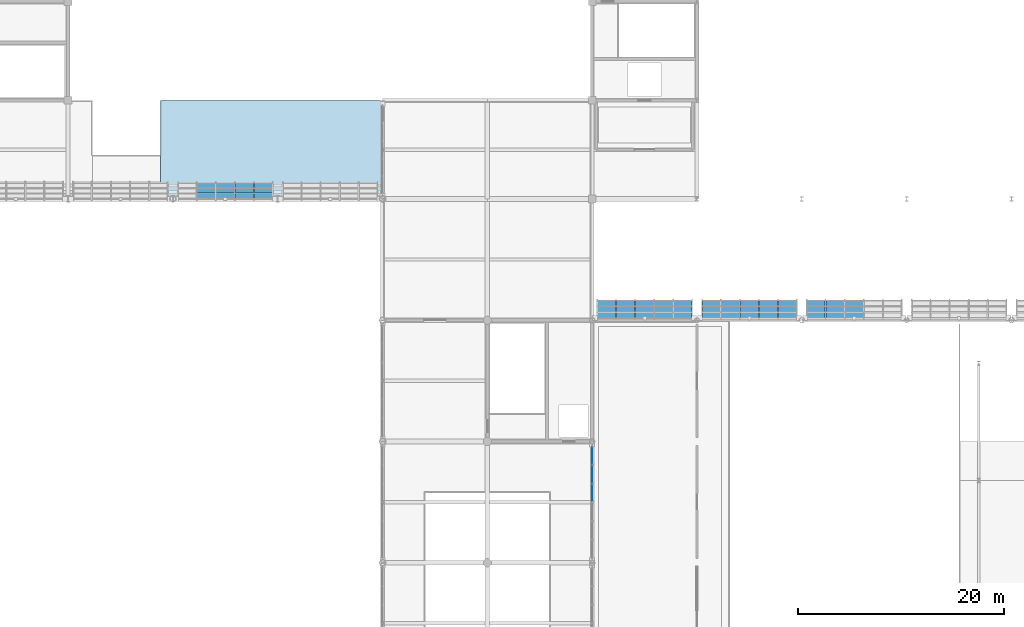
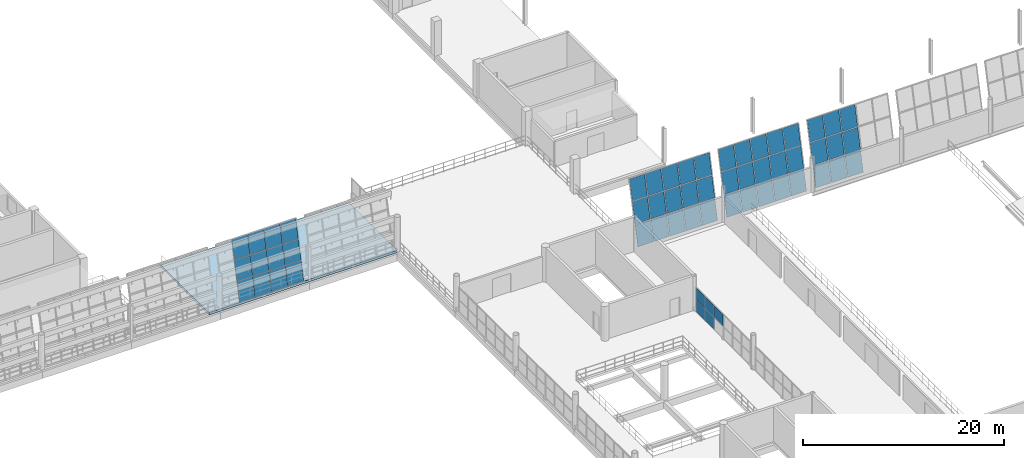
# One storey, part 116 of 157: 56 plates, 1 slab, 5 elements without a shape of their own.
"""IFC4 building model written with IfcOpenShell, lengths in metres."""

from ifc_helpers import new_model, si_unit, direction, frame, origin, origin_2d, place, context, subcontext, project, spatial, polyline, rectangle, outline, extrude, material, layer, layer_set, type_object, element, aggregate, save


model = new_model("IFC4")

# Units and contexts
model_context = context("Model", 3, precision=1e-05, world=origin(), true_north=direction((0.0, 1.0)))
body_context = subcontext(model_context, "Body", "Model", "MODEL_VIEW")
ifc_project = project(units=[si_unit("LENGTHUNIT", "METRE"), si_unit("AREAUNIT", "SQUARE_METRE"), si_unit("VOLUMEUNIT", "CUBIC_METRE"), si_unit("PLANEANGLEUNIT", "RADIAN"), si_unit("MASSUNIT", "GRAM", prefix="KILO")], contexts=[model_context])

# Site, building, storey
site_placement = place(None, origin())
site = spatial("IfcSite", under=ifc_project, at=site_placement, CompositionType="ELEMENT")
building_placement = place(site_placement, origin())
building = spatial("IfcBuilding", under=site, at=building_placement, Name="Brelvane Convention Centre", CompositionType="ELEMENT")
storey_placement = place(building_placement, frame((0.0, 0.0, 10.800048828125)))
storey = spatial("IfcBuildingStorey", under=building, at=storey_placement, Name="L02", CompositionType="ELEMENT", Elevation=10.800048828125)

# Curtain wall, plates
ifc_material_1 = material(Name="Anodised Aluminium Alloy 6063-T6", Category="aluminium")
curtain_wall_type_1 = type_object("IfcCurtainWallType", Name="Curtain Wall CW-HULL-N", PredefinedType="USERDEFINED", material=ifc_material_1)
curtain_wall_1_placement = place(storey_placement, origin())
curtain_wall_1 = element("IfcCurtainWall", 1, at=curtain_wall_1_placement, inside=storey, type_object=curtain_wall_type_1, Name="Curtain Wall CW-HULL-N L02-V1N-HULL-13", ObjectType="UNITISED", PredefinedType="USERDEFINED")
ifc_material_2 = material(Name="Double Glazed Low-E Laminated Unit")
ifc_layer_1 = layer(ifc_material_2, 0.0380859375)
ifc_layer_set_1 = layer_set([ifc_layer_1], Name="Double Glazed Low-E Laminated Unit")
plate_type_1 = type_object("IfcPlateType", Name="Curtain Panel CW-PG2", PredefinedType="CURTAIN_PANEL", material=ifc_layer_set_1)
plate_1_placement = place(storey_placement, frame((124.75, 100.13720703125, 2.2900390625), z_axis=(0.0, -0.973595011737, 0.22828217872), x_axis=(1.0, 0.0, 0.0)))
plate_1 = element("IfcPlate", 2, at=plate_1_placement, type_object=plate_type_1, Name="CW-HULL-N panel 2.2", PredefinedType="CURTAIN_PANEL", context=body_context, shape_type="SweptSolid", body=[
    extrude(outline(polyline([(0.0, 0.0), (1.780029296875, 0.0), (1.780029296875, 2.2287725890550485), (0.0, 2.2287725890550485), (0.0, 0.0)])), origin(), (0.0, 0.0, -1.0), 0.0380859375),
])
plate_2_placement = place(storey_placement, frame((124.75, 100.664794921875, 4.5400390625), z_axis=(0.0, -0.973558945432, 0.228435942377), x_axis=(1.0, 0.0, 0.0)))
plate_2 = element("IfcPlate", 3, at=plate_2_placement, type_object=plate_type_1, Name="CW-HULL-N panel 2.3", PredefinedType="CURTAIN_PANEL", context=body_context, shape_type="SweptSolid", body=[
    extrude(outline(polyline([(0.0, 0.0), (1.780029296875, 0.0), (1.780029296875, 2.18772866552563), (0.0, 2.18772866552563), (0.0, 0.0)])), origin(), (0.0, 0.0, -1.0), 0.0380859375),
])
plate_3_placement = place(storey_placement, frame((126.610107421875, 100.13720703125, 2.2900390625), z_axis=(0.0, -0.973595011737, 0.22828217872), x_axis=(1.0, 0.0, 0.0)))
plate_3 = element("IfcPlate", 4, at=plate_3_placement, type_object=plate_type_1, Name="CW-HULL-N panel 3.2", PredefinedType="CURTAIN_PANEL", context=body_context, shape_type="SweptSolid", body=[
    extrude(outline(polyline([(0.0, 0.0), (1.77978515625, 0.0), (1.77978515625, 2.2287725890550485), (0.0, 2.2287725890550485), (0.0, 0.0)])), origin(), (0.0, 0.0, -1.0), 0.0380859375),
])
plate_4_placement = place(storey_placement, frame((126.610107421875, 100.664794921875, 4.5400390625), z_axis=(0.0, -0.973558945432, 0.228435942377), x_axis=(1.0, 0.0, 0.0)))
plate_4 = element("IfcPlate", 5, at=plate_4_placement, type_object=plate_type_1, Name="CW-HULL-N panel 3.3", PredefinedType="CURTAIN_PANEL", context=body_context, shape_type="SweptSolid", body=[
    extrude(outline(polyline([(0.0, 0.0), (1.77978515625, 0.0), (1.77978515625, 2.18772866552563), (0.0, 2.18772866552563), (0.0, 0.0)])), origin(), (0.0, 0.0, -1.0), 0.0380859375),
])
plate_5_placement = place(storey_placement, frame((128.469970703125, 100.13720703125, 2.2900390625), z_axis=(0.0, -0.973595011737, 0.22828217872), x_axis=(1.0, 0.0, 0.0)))
plate_5 = element("IfcPlate", 6, at=plate_5_placement, type_object=plate_type_1, Name="CW-HULL-N panel 4.2", PredefinedType="CURTAIN_PANEL", context=body_context, shape_type="SweptSolid", body=[
    extrude(outline(polyline([(0.0, 0.0), (1.780029296875, 0.0), (1.780029296875, 2.2287725890550485), (0.0, 2.2287725890550485), (0.0, 0.0)])), origin(), (0.0, 0.0, -1.0), 0.0380859375),
])
plate_6_placement = place(storey_placement, frame((128.469970703125, 100.664794921875, 4.5400390625), z_axis=(0.0, -0.973558945432, 0.228435942377), x_axis=(1.0, 0.0, 0.0)))
plate_6 = element("IfcPlate", 7, at=plate_6_placement, type_object=plate_type_1, Name="CW-HULL-N panel 4.3", PredefinedType="CURTAIN_PANEL", context=body_context, shape_type="SweptSolid", body=[
    extrude(outline(polyline([(0.0, 0.0), (1.780029296875, 0.0), (1.780029296875, 2.18772866552563), (0.0, 2.18772866552563), (0.0, 0.0)])), origin(), (0.0, 0.0, -1.0), 0.0380859375),
])
plate_7_placement = place(storey_placement, frame((130.330078125, 100.13720703125, 2.2900390625), z_axis=(0.0, -0.973595011737, 0.22828217872), x_axis=(1.0, 0.0, 0.0)))
plate_7 = element("IfcPlate", 8, at=plate_7_placement, type_object=plate_type_1, Name="CW-HULL-N panel 5.2", PredefinedType="CURTAIN_PANEL", context=body_context, shape_type="SweptSolid", body=[
    extrude(outline(polyline([(0.0, 0.0), (1.739990234375, 0.0), (1.739990234375, 2.2287725890550485), (0.0, 2.2287725890550485), (0.0, 0.0)])), origin(), (0.0, 0.0, -1.0), 0.0380859375),
])
plate_8_placement = place(storey_placement, frame((130.330078125, 100.664794921875, 4.5400390625), z_axis=(0.0, -0.973558945432, 0.228435942377), x_axis=(1.0, 0.0, 0.0)))
plate_8 = element("IfcPlate", 9, at=plate_8_placement, type_object=plate_type_1, Name="CW-HULL-N panel 5.3", PredefinedType="CURTAIN_PANEL", context=body_context, shape_type="SweptSolid", body=[
    extrude(outline(polyline([(0.0, 0.0), (1.739990234375, 0.0), (1.739990234375, 2.18772866552563), (0.0, 2.18772866552563), (0.0, 0.0)])), origin(), (0.0, 0.0, -1.0), 0.0380859375),
])

curtain_wall_2_placement = place(storey_placement, origin())
curtain_wall_2 = element("IfcCurtainWall", 10, at=curtain_wall_2_placement, inside=storey, type_object=curtain_wall_type_1, Name="Curtain Wall CW-HULL-N L02-HULL-PN-L02-1", ObjectType="UNITISED", PredefinedType="USERDEFINED")
plate_9_placement = place(storey_placement, frame((163.72509765625, 88.582763671875, 2.534912109375), z_axis=(0.0, -0.973570183804, 0.228388040862), x_axis=(1.0, 0.0, 0.0)))
plate_9 = element("IfcPlate", 11, at=plate_9_placement, type_object=plate_type_1, Name="CW-HULL-N panel 1.2", PredefinedType="CURTAIN_PANEL", context=body_context, shape_type="SweptSolid", body=[
    extrude(outline(polyline([(0.0, 0.0), (1.747314453125, 0.0), (1.747314453125, 2.4447410086308348), (0.0, 2.4447410086308348), (0.0, 0.0)])), origin(), (0.0, 0.0, -1.0), 0.0380859375),
])
plate_10_placement = place(storey_placement, frame((163.72509765625, 89.157470703125, 4.98486328125), z_axis=(0.0, -0.973575126231, 0.228366971307), x_axis=(1.0, 0.0, 0.0)))
plate_10 = element("IfcPlate", 12, at=plate_10_placement, type_object=plate_type_1, Name="CW-HULL-N panel 1.3", PredefinedType="CURTAIN_PANEL", context=body_context, shape_type="SweptSolid", body=[
    extrude(outline(polyline([(0.0, 0.0), (1.747314453125, 0.0), (1.747314453125, 2.4086181332532237), (0.0, 2.4086181332532237), (0.0, 0.0)])), origin(), (0.0, 0.0, -1.0), 0.0380859375),
])
plate_11_placement = place(storey_placement, frame((165.547607421875, 88.582763671875, 2.534912109375), z_axis=(0.0, -0.973570183804, 0.228388040862), x_axis=(1.0, 0.0, 0.0)))
plate_11 = element("IfcPlate", 13, at=plate_11_placement, type_object=plate_type_1, Name="CW-HULL-N panel 2.2", PredefinedType="CURTAIN_PANEL", context=body_context, shape_type="SweptSolid", body=[
    extrude(outline(polyline([(0.0, 0.0), (1.784912109375, 0.0), (1.784912109375, 2.4447410086308348), (0.0, 2.4447410086308348), (0.0, 0.0)])), origin(), (0.0, 0.0, -1.0), 0.0380859375),
])
plate_12_placement = place(storey_placement, frame((165.547607421875, 89.157470703125, 4.98486328125), z_axis=(0.0, -0.973575126231, 0.228366971307), x_axis=(1.0, 0.0, 0.0)))
plate_12 = element("IfcPlate", 14, at=plate_12_placement, type_object=plate_type_1, Name="CW-HULL-N panel 2.3", PredefinedType="CURTAIN_PANEL", context=body_context, shape_type="SweptSolid", body=[
    extrude(outline(polyline([(0.0, 0.0), (1.784912109375, 0.0), (1.784912109375, 2.4086181332532233), (0.0, 2.4086181332532233), (0.0, 0.0)])), origin(), (0.0, 0.0, -1.0), 0.0380859375),
])
plate_13_placement = place(storey_placement, frame((167.407470703125, 88.582763671875, 2.534912109375), z_axis=(0.0, -0.973570183804, 0.228388040862), x_axis=(1.0, 0.0, 0.0)))
plate_13 = element("IfcPlate", 15, at=plate_13_placement, type_object=plate_type_1, Name="CW-HULL-N panel 3.2", PredefinedType="CURTAIN_PANEL", context=body_context, shape_type="SweptSolid", body=[
    extrude(outline(polyline([(0.0, 0.0), (1.784912109375, 0.0), (1.784912109375, 2.4447410086308348), (0.0, 2.4447410086308348), (0.0, 0.0)])), origin(), (0.0, 0.0, -1.0), 0.0380859375),
])
plate_14_placement = place(storey_placement, frame((167.407470703125, 89.157470703125, 4.98486328125), z_axis=(0.0, -0.973575126231, 0.228366971307), x_axis=(1.0, 0.0, 0.0)))
plate_14 = element("IfcPlate", 16, at=plate_14_placement, type_object=plate_type_1, Name="CW-HULL-N panel 3.3", PredefinedType="CURTAIN_PANEL", context=body_context, shape_type="SweptSolid", body=[
    extrude(outline(polyline([(0.0, 0.0), (1.784912109375, 0.0), (1.784912109375, 2.4086181332532233), (0.0, 2.4086181332532233), (0.0, 0.0)])), origin(), (0.0, 0.0, -1.0), 0.0380859375),
])
plate_15_placement = place(storey_placement, frame((169.267578125, 88.582763671875, 2.534912109375), z_axis=(0.0, -0.973570183804, 0.228388040862), x_axis=(1.0, 0.0, 0.0)))
plate_15 = element("IfcPlate", 17, at=plate_15_placement, type_object=plate_type_1, Name="CW-HULL-N panel 4.2", PredefinedType="CURTAIN_PANEL", context=body_context, shape_type="SweptSolid", body=[
    extrude(outline(polyline([(0.0, 0.0), (1.784912109375, 0.0), (1.784912109375, 2.4447410086308348), (0.0, 2.4447410086308348), (0.0, 0.0)])), origin(), (0.0, 0.0, -1.0), 0.0380859375),
])
plate_16_placement = place(storey_placement, frame((169.267578125, 89.157470703125, 4.98486328125), z_axis=(0.0, -0.973575126231, 0.228366971307), x_axis=(1.0, 0.0, 0.0)))
plate_16 = element("IfcPlate", 18, at=plate_16_placement, type_object=plate_type_1, Name="CW-HULL-N panel 4.3", PredefinedType="CURTAIN_PANEL", context=body_context, shape_type="SweptSolid", body=[
    extrude(outline(polyline([(0.0, 0.0), (1.784912109375, 0.0), (1.784912109375, 2.4086181332532233), (0.0, 2.4086181332532233), (0.0, 0.0)])), origin(), (0.0, 0.0, -1.0), 0.0380859375),
])
plate_17_placement = place(storey_placement, frame((171.12744140625, 88.582763671875, 2.534912109375), z_axis=(0.0, -0.973570183804, 0.228388040862), x_axis=(1.0, 0.0, 0.0)))
plate_17 = element("IfcPlate", 19, at=plate_17_placement, type_object=plate_type_1, Name="CW-HULL-N panel 5.2", PredefinedType="CURTAIN_PANEL", context=body_context, shape_type="SweptSolid", body=[
    extrude(outline(polyline([(0.0, 0.0), (1.74755859375, 0.0), (1.74755859375, 2.4447410086308348), (0.0, 2.4447410086308348), (0.0, 0.0)])), origin(), (0.0, 0.0, -1.0), 0.0380859375),
])
plate_18_placement = place(storey_placement, frame((171.12744140625, 89.157470703125, 4.98486328125), z_axis=(0.0, -0.973575126231, 0.228366971307), x_axis=(1.0, 0.0, 0.0)))
plate_18 = element("IfcPlate", 20, at=plate_18_placement, type_object=plate_type_1, Name="CW-HULL-N panel 5.3", PredefinedType="CURTAIN_PANEL", context=body_context, shape_type="SweptSolid", body=[
    extrude(outline(polyline([(0.0, 0.0), (1.74755859375, 0.0), (1.74755859375, 2.4086181332532237), (0.0, 2.4086181332532237), (0.0, 0.0)])), origin(), (0.0, 0.0, -1.0), 0.0380859375),
])

curtain_wall_3_placement = place(storey_placement, origin())
curtain_wall_3 = element("IfcCurtainWall", 21, at=curtain_wall_3_placement, inside=storey, type_object=curtain_wall_type_1, Name="Curtain Wall CW-HULL-N L02-HULL-PN-L02-2", ObjectType="UNITISED", PredefinedType="USERDEFINED")
plate_19_placement = place(storey_placement, frame((173.925048828125, 88.582763671875, 2.534912109375), z_axis=(0.0, -0.973570183804, 0.228388040862), x_axis=(1.0, 0.0, 0.0)))
plate_19 = element("IfcPlate", 22, at=plate_19_placement, type_object=plate_type_1, Name="CW-HULL-N panel 1.2", PredefinedType="CURTAIN_PANEL", context=body_context, shape_type="SweptSolid", body=[
    extrude(outline(polyline([(0.0, 0.0), (1.74755859375, 0.0), (1.74755859375, 2.4447410086308348), (0.0, 2.4447410086308348), (0.0, 0.0)])), origin(), (0.0, 0.0, -1.0), 0.0380859375),
])
plate_20_placement = place(storey_placement, frame((173.925048828125, 89.157470703125, 4.98486328125), z_axis=(0.0, -0.973575126231, 0.228366971307), x_axis=(1.0, 0.0, 0.0)))
plate_20 = element("IfcPlate", 23, at=plate_20_placement, type_object=plate_type_1, Name="CW-HULL-N panel 1.3", PredefinedType="CURTAIN_PANEL", context=body_context, shape_type="SweptSolid", body=[
    extrude(outline(polyline([(0.0, 0.0), (1.74755859375, 0.0), (1.74755859375, 2.4086181332532237), (0.0, 2.4086181332532237), (0.0, 0.0)])), origin(), (0.0, 0.0, -1.0), 0.0380859375),
])
plate_21_placement = place(storey_placement, frame((175.74755859375, 88.582763671875, 2.534912109375), z_axis=(0.0, -0.973570183804, 0.228388040862), x_axis=(1.0, 0.0, 0.0)))
plate_21 = element("IfcPlate", 24, at=plate_21_placement, type_object=plate_type_1, Name="CW-HULL-N panel 2.2", PredefinedType="CURTAIN_PANEL", context=body_context, shape_type="SweptSolid", body=[
    extrude(outline(polyline([(0.0, 0.0), (1.784912109375, 0.0), (1.784912109375, 2.4447410086308348), (0.0, 2.4447410086308348), (0.0, 0.0)])), origin(), (0.0, 0.0, -1.0), 0.0380859375),
])
plate_22_placement = place(storey_placement, frame((175.74755859375, 89.157470703125, 4.98486328125), z_axis=(0.0, -0.973575126231, 0.228366971307), x_axis=(1.0, 0.0, 0.0)))
plate_22 = element("IfcPlate", 25, at=plate_22_placement, type_object=plate_type_1, Name="CW-HULL-N panel 2.3", PredefinedType="CURTAIN_PANEL", context=body_context, shape_type="SweptSolid", body=[
    extrude(outline(polyline([(0.0, 0.0), (1.784912109375, 0.0), (1.784912109375, 2.4086181332532233), (0.0, 2.4086181332532233), (0.0, 0.0)])), origin(), (0.0, 0.0, -1.0), 0.0380859375),
])
plate_23_placement = place(storey_placement, frame((177.607421875, 88.582763671875, 2.534912109375), z_axis=(0.0, -0.973570183804, 0.228388040862), x_axis=(1.0, 0.0, 0.0)))
plate_23 = element("IfcPlate", 26, at=plate_23_placement, type_object=plate_type_1, Name="CW-HULL-N panel 3.2", PredefinedType="CURTAIN_PANEL", context=body_context, shape_type="SweptSolid", body=[
    extrude(outline(polyline([(0.0, 0.0), (1.78515625, 0.0), (1.78515625, 2.4447410086308348), (0.0, 2.4447410086308348), (0.0, 0.0)])), origin(), (0.0, 0.0, -1.0), 0.0380859375),
])
plate_24_placement = place(storey_placement, frame((177.607421875, 89.157470703125, 4.98486328125), z_axis=(0.0, -0.973575126231, 0.228366971307), x_axis=(1.0, 0.0, 0.0)))
plate_24 = element("IfcPlate", 27, at=plate_24_placement, type_object=plate_type_1, Name="CW-HULL-N panel 3.3", PredefinedType="CURTAIN_PANEL", context=body_context, shape_type="SweptSolid", body=[
    extrude(outline(polyline([(0.0, 0.0), (1.78515625, 0.0), (1.78515625, 2.4086181332532233), (0.0, 2.4086181332532233), (0.0, 0.0)])), origin(), (0.0, 0.0, -1.0), 0.0380859375),
])
plate_25_placement = place(storey_placement, frame((179.467529296875, 88.582763671875, 2.534912109375), z_axis=(0.0, -0.973570183804, 0.228388040862), x_axis=(1.0, 0.0, 0.0)))
plate_25 = element("IfcPlate", 28, at=plate_25_placement, type_object=plate_type_1, Name="CW-HULL-N panel 4.2", PredefinedType="CURTAIN_PANEL", context=body_context, shape_type="SweptSolid", body=[
    extrude(outline(polyline([(0.0, 0.0), (1.784912109375, 0.0), (1.784912109375, 2.4447410086308348), (0.0, 2.4447410086308348), (0.0, 0.0)])), origin(), (0.0, 0.0, -1.0), 0.0380859375),
])
plate_26_placement = place(storey_placement, frame((179.467529296875, 89.157470703125, 4.98486328125), z_axis=(0.0, -0.973575126231, 0.228366971307), x_axis=(1.0, 0.0, 0.0)))
plate_26 = element("IfcPlate", 29, at=plate_26_placement, type_object=plate_type_1, Name="CW-HULL-N panel 4.3", PredefinedType="CURTAIN_PANEL", context=body_context, shape_type="SweptSolid", body=[
    extrude(outline(polyline([(0.0, 0.0), (1.784912109375, 0.0), (1.784912109375, 2.4086181332532233), (0.0, 2.4086181332532233), (0.0, 0.0)])), origin(), (0.0, 0.0, -1.0), 0.0380859375),
])
plate_27_placement = place(storey_placement, frame((181.327392578125, 88.582763671875, 2.534912109375), z_axis=(0.0, -0.973570183804, 0.228388040862), x_axis=(1.0, 0.0, 0.0)))
plate_27 = element("IfcPlate", 30, at=plate_27_placement, type_object=plate_type_1, Name="CW-HULL-N panel 5.2", PredefinedType="CURTAIN_PANEL", context=body_context, shape_type="SweptSolid", body=[
    extrude(outline(polyline([(0.0, 0.0), (1.74755859375, 0.0), (1.74755859375, 2.4447410086308348), (0.0, 2.4447410086308348), (0.0, 0.0)])), origin(), (0.0, 0.0, -1.0), 0.0380859375),
])
plate_28_placement = place(storey_placement, frame((181.327392578125, 89.157470703125, 4.98486328125), z_axis=(0.0, -0.973575126231, 0.228366971307), x_axis=(1.0, 0.0, 0.0)))
plate_28 = element("IfcPlate", 31, at=plate_28_placement, type_object=plate_type_1, Name="CW-HULL-N panel 5.3", PredefinedType="CURTAIN_PANEL", context=body_context, shape_type="SweptSolid", body=[
    extrude(outline(polyline([(0.0, 0.0), (1.74755859375, 0.0), (1.74755859375, 2.4086181332532237), (0.0, 2.4086181332532237), (0.0, 0.0)])), origin(), (0.0, 0.0, -1.0), 0.0380859375),
])

curtain_wall_4_placement = place(storey_placement, origin())
curtain_wall_4 = element("IfcCurtainWall", 32, at=curtain_wall_4_placement, inside=storey, type_object=curtain_wall_type_1, Name="Curtain Wall CW-HULL-N L02-HULL-PN-L02-3", ObjectType="UNITISED", PredefinedType="USERDEFINED")
plate_29_placement = place(storey_placement, frame((184.125, 88.582763671875, 2.534912109375), z_axis=(0.0, -0.973570183804, 0.228388040862), x_axis=(1.0, 0.0, 0.0)))
plate_29 = element("IfcPlate", 33, at=plate_29_placement, type_object=plate_type_1, Name="CW-HULL-N panel 1.2", PredefinedType="CURTAIN_PANEL", context=body_context, shape_type="SweptSolid", body=[
    extrude(outline(polyline([(0.0, 0.0), (1.74755859375, 0.0), (1.74755859375, 2.4447410086308348), (0.0, 2.4447410086308348), (0.0, 0.0)])), origin(), (0.0, 0.0, -1.0), 0.0380859375),
])
plate_30_placement = place(storey_placement, frame((184.125, 89.157470703125, 4.98486328125), z_axis=(0.0, -0.973575126231, 0.228366971307), x_axis=(1.0, 0.0, 0.0)))
plate_30 = element("IfcPlate", 34, at=plate_30_placement, type_object=plate_type_1, Name="CW-HULL-N panel 1.3", PredefinedType="CURTAIN_PANEL", context=body_context, shape_type="SweptSolid", body=[
    extrude(outline(polyline([(0.0, 0.0), (1.74755859375, 0.0), (1.74755859375, 2.4086181332532237), (0.0, 2.4086181332532237), (0.0, 0.0)])), origin(), (0.0, 0.0, -1.0), 0.0380859375),
])
plate_31_placement = place(storey_placement, frame((185.947509765625, 88.582763671875, 2.534912109375), z_axis=(0.0, -0.973570183804, 0.228388040862), x_axis=(1.0, 0.0, 0.0)))
plate_31 = element("IfcPlate", 35, at=plate_31_placement, type_object=plate_type_1, Name="CW-HULL-N panel 2.2", PredefinedType="CURTAIN_PANEL", context=body_context, shape_type="SweptSolid", body=[
    extrude(outline(polyline([(0.0, 0.0), (1.784912109375, 0.0), (1.784912109375, 2.4447410086308348), (0.0, 2.4447410086308348), (0.0, 0.0)])), origin(), (0.0, 0.0, -1.0), 0.0380859375),
])
plate_32_placement = place(storey_placement, frame((185.947509765625, 89.157470703125, 4.98486328125), z_axis=(0.0, -0.973575126231, 0.228366971307), x_axis=(1.0, 0.0, 0.0)))
plate_32 = element("IfcPlate", 36, at=plate_32_placement, type_object=plate_type_1, Name="CW-HULL-N panel 2.3", PredefinedType="CURTAIN_PANEL", context=body_context, shape_type="SweptSolid", body=[
    extrude(outline(polyline([(0.0, 0.0), (1.784912109375, 0.0), (1.784912109375, 2.4086181332532233), (0.0, 2.4086181332532233), (0.0, 0.0)])), origin(), (0.0, 0.0, -1.0), 0.0380859375),
])
plate_33_placement = place(storey_placement, frame((187.8076171875, 88.582763671875, 2.534912109375), z_axis=(0.0, -0.973570183804, 0.228388040862), x_axis=(1.0, 0.0, 0.0)))
plate_33 = element("IfcPlate", 37, at=plate_33_placement, type_object=plate_type_1, Name="CW-HULL-N panel 3.2", PredefinedType="CURTAIN_PANEL", context=body_context, shape_type="SweptSolid", body=[
    extrude(outline(polyline([(0.0, 0.0), (1.784912109375, 0.0), (1.784912109375, 2.4447410086308348), (0.0, 2.4447410086308348), (0.0, 0.0)])), origin(), (0.0, 0.0, -1.0), 0.0380859375),
])
plate_34_placement = place(storey_placement, frame((187.8076171875, 89.157470703125, 4.98486328125), z_axis=(0.0, -0.973575126231, 0.228366971307), x_axis=(1.0, 0.0, 0.0)))
plate_34 = element("IfcPlate", 38, at=plate_34_placement, type_object=plate_type_1, Name="CW-HULL-N panel 3.3", PredefinedType="CURTAIN_PANEL", context=body_context, shape_type="SweptSolid", body=[
    extrude(outline(polyline([(0.0, 0.0), (1.784912109375, 0.0), (1.784912109375, 2.4086181332532233), (0.0, 2.4086181332532233), (0.0, 0.0)])), origin(), (0.0, 0.0, -1.0), 0.0380859375),
])

ifc_material_3 = material(Name="Anodised Aluminium Alloy 6063-T6", Category="aluminium")
curtain_wall_type_2 = type_object("IfcCurtainWallType", Name="Curtain Wall CW-CONC", PredefinedType="USERDEFINED", material=ifc_material_3)
curtain_wall_5_placement = place(storey_placement, origin())
curtain_wall_5 = element("IfcCurtainWall", 39, at=curtain_wall_5_placement, inside=storey, type_object=curtain_wall_type_2, Name="Curtain Wall CW-CONC L02-GAL-ATRIUM-E-3", ObjectType="UNITISED", PredefinedType="USERDEFINED")
plate_35_placement = place(storey_placement, frame((163.199951171875, 71.00830078125, 1.52978515625), z_axis=(0.0, 0.0, 1.0), x_axis=(0.0, 1.0, 0.0)))
plate_35 = element("IfcPlate", 40, at=plate_35_placement, type_object=plate_type_1, Name="CW-CONC panel 4.2", PredefinedType="CURTAIN_PANEL", context=body_context, shape_type="SweptSolid", body=[
    extrude(rectangle(XDim=1.751708984375, YDim=0.0380859375, at=origin_2d()), origin(), (0.0, 0.0, 1.0), 1.409912109375),
])
plate_36_placement = place(storey_placement, frame((163.199951171875, 72.824951171875, 0.06005859375), z_axis=(0.0, 0.0, 1.0), x_axis=(0.0, 1.0, 0.0)))
plate_36 = element("IfcPlate", 41, at=plate_36_placement, type_object=plate_type_1, Name="CW-CONC panel 5.1", PredefinedType="CURTAIN_PANEL", context=body_context, shape_type="SweptSolid", body=[
    extrude(rectangle(XDim=1.751708984375, YDim=0.0380859375, at=origin_2d()), origin(), (0.0, 0.0, 1.0), 1.409912109375),
])
plate_37_placement = place(storey_placement, frame((163.199951171875, 72.824951171875, 1.52978515625), z_axis=(0.0, 0.0, 1.0), x_axis=(0.0, 1.0, 0.0)))
plate_37 = element("IfcPlate", 42, at=plate_37_placement, type_object=plate_type_1, Name="CW-CONC panel 5.2", PredefinedType="CURTAIN_PANEL", context=body_context, shape_type="SweptSolid", body=[
    extrude(rectangle(XDim=1.751708984375, YDim=0.0380859375, at=origin_2d()), origin(), (0.0, 0.0, 1.0), 1.409912109375),
])
plate_38_placement = place(storey_placement, frame((163.199951171875, 74.62548828125, 0.06005859375), z_axis=(0.0, 0.0, 1.0), x_axis=(0.0, 1.0, 0.0)))
plate_38 = element("IfcPlate", 43, at=plate_38_placement, type_object=plate_type_1, Name="CW-CONC panel 6.1", PredefinedType="CURTAIN_PANEL", context=body_context, shape_type="SweptSolid", body=[
    extrude(rectangle(XDim=1.71923828125, YDim=0.0380859375, at=origin_2d()), origin(), (0.0, 0.0, 1.0), 1.409912109375),
])
plate_39_placement = place(storey_placement, frame((163.199951171875, 74.62548828125, 1.52978515625), z_axis=(0.0, 0.0, 1.0), x_axis=(0.0, 1.0, 0.0)))
plate_39 = element("IfcPlate", 44, at=plate_39_placement, type_object=plate_type_1, Name="CW-CONC panel 6.2", PredefinedType="CURTAIN_PANEL", context=body_context, shape_type="SweptSolid", body=[
    extrude(rectangle(XDim=1.71923828125, YDim=0.0380859375, at=origin_2d()), origin(), (0.0, 0.0, 1.0), 1.409912109375),
])
aggregate(curtain_wall_5, [plate_35, plate_36, plate_37, plate_38, plate_39])

# Plate
ifc_material_4 = material(Name="Patinated Copper-Bronze Alloy C22000")
ifc_layer_2 = layer(ifc_material_4, 0.048095703125)
ifc_layer_set_2 = layer_set([ifc_layer_2], Name="Patinated Copper-Bronze Alloy C22000")
plate_type_2 = type_object("IfcPlateType", Name="Curtain Panel CW-PS1", PredefinedType="CURTAIN_PANEL", material=ifc_layer_set_2)
plate_40_placement = place(storey_placement, frame((124.75, 99.61865234375, 0.079833984375), z_axis=(0.0, -0.973564767867, 0.228411126627), x_axis=(1.0, 0.0, 0.0)))
plate_40 = element("IfcPlate", 45, at=plate_40_placement, type_object=plate_type_2, Name="CW-HULL-N panel 2.1", PredefinedType="CURTAIN_PANEL", context=body_context, shape_type="SweptSolid", body=[
    extrude(outline(polyline([(0.0, 0.0), (1.780029296875, 0.0), (1.780029296875, 2.1879663515258274), (0.0, 2.1879663515258274), (0.0, 0.0)])), origin(), (0.0, 0.0, -1.0), 0.0380859375),
])

plate_41_placement = place(storey_placement, frame((126.610107421875, 99.61865234375, 0.079833984375), z_axis=(0.0, -0.973564767867, 0.228411126627), x_axis=(1.0, 0.0, 0.0)))
plate_41 = element("IfcPlate", 46, at=plate_41_placement, type_object=plate_type_2, Name="CW-HULL-N panel 3.1", PredefinedType="CURTAIN_PANEL", context=body_context, shape_type="SweptSolid", body=[
    extrude(outline(polyline([(0.0, 0.0), (1.77978515625, 0.0), (1.77978515625, 2.187966351525827), (0.0, 2.187966351525827), (0.0, 0.0)])), origin(), (0.0, 0.0, -1.0), 0.0380859375),
])

plate_42_placement = place(storey_placement, frame((128.469970703125, 99.61865234375, 0.079833984375), z_axis=(0.0, -0.973564767867, 0.228411126627), x_axis=(1.0, 0.0, 0.0)))
plate_42 = element("IfcPlate", 47, at=plate_42_placement, type_object=plate_type_2, Name="CW-HULL-N panel 4.1", PredefinedType="CURTAIN_PANEL", context=body_context, shape_type="SweptSolid", body=[
    extrude(outline(polyline([(0.0, 0.0), (1.780029296875, 0.0), (1.780029296875, 2.1879663515258274), (0.0, 2.1879663515258274), (0.0, 0.0)])), origin(), (0.0, 0.0, -1.0), 0.0380859375),
])

plate_43_placement = place(storey_placement, frame((130.330078125, 99.61865234375, 0.079833984375), z_axis=(0.0, -0.973564767867, 0.228411126627), x_axis=(1.0, 0.0, 0.0)))
plate_43 = element("IfcPlate", 48, at=plate_43_placement, type_object=plate_type_2, Name="CW-HULL-N panel 5.1", PredefinedType="CURTAIN_PANEL", context=body_context, shape_type="SweptSolid", body=[
    extrude(outline(polyline([(0.0, 0.0), (1.739990234375, 0.0), (1.739990234375, 2.1879663515258274), (0.0, 2.1879663515258274), (0.0, 0.0)])), origin(), (0.0, 0.0, -1.0), 0.0380859375),
])

aggregate(curtain_wall_1, [plate_40, plate_1, plate_2, plate_41, plate_3, plate_4, plate_42, plate_5, plate_6, plate_43, plate_7, plate_8])

plate_44_placement = place(storey_placement, frame((163.72509765625, 88.016357421875, 0.119873046875), z_axis=(0.0, -0.973575126231, 0.228366971307), x_axis=(1.0, 0.0, 0.0)))
plate_44 = element("IfcPlate", 49, at=plate_44_placement, type_object=plate_type_2, Name="CW-HULL-N panel 1.1", PredefinedType="CURTAIN_PANEL", context=body_context, shape_type="SweptSolid", body=[
    extrude(outline(polyline([(0.0, 0.0), (1.747314453125, 0.0), (1.747314453125, 2.4086181332532237), (0.0, 2.4086181332532237), (0.0, 0.0)])), origin(), (0.0, 0.0, -1.0), 0.0380859375),
])

plate_45_placement = place(storey_placement, frame((165.547607421875, 88.016357421875, 0.119873046875), z_axis=(0.0, -0.973575126231, 0.228366971307), x_axis=(1.0, 0.0, 0.0)))
plate_45 = element("IfcPlate", 50, at=plate_45_placement, type_object=plate_type_2, Name="CW-HULL-N panel 2.1", PredefinedType="CURTAIN_PANEL", context=body_context, shape_type="SweptSolid", body=[
    extrude(outline(polyline([(0.0, 0.0), (1.784912109375, 0.0), (1.784912109375, 2.4086181332532233), (0.0, 2.4086181332532233), (0.0, 0.0)])), origin(), (0.0, 0.0, -1.0), 0.0380859375),
])

plate_46_placement = place(storey_placement, frame((167.407470703125, 88.016357421875, 0.119873046875), z_axis=(0.0, -0.973575126231, 0.228366971307), x_axis=(1.0, 0.0, 0.0)))
plate_46 = element("IfcPlate", 51, at=plate_46_placement, type_object=plate_type_2, Name="CW-HULL-N panel 3.1", PredefinedType="CURTAIN_PANEL", context=body_context, shape_type="SweptSolid", body=[
    extrude(outline(polyline([(0.0, 0.0), (1.784912109375, 0.0), (1.784912109375, 2.4086181332532233), (0.0, 2.4086181332532233), (0.0, 0.0)])), origin(), (0.0, 0.0, -1.0), 0.0380859375),
])

plate_47_placement = place(storey_placement, frame((169.267578125, 88.016357421875, 0.119873046875), z_axis=(0.0, -0.973575126231, 0.228366971307), x_axis=(1.0, 0.0, 0.0)))
plate_47 = element("IfcPlate", 52, at=plate_47_placement, type_object=plate_type_2, Name="CW-HULL-N panel 4.1", PredefinedType="CURTAIN_PANEL", context=body_context, shape_type="SweptSolid", body=[
    extrude(outline(polyline([(0.0, 0.0), (1.784912109375, 0.0), (1.784912109375, 2.4086181332532233), (0.0, 2.4086181332532233), (0.0, 0.0)])), origin(), (0.0, 0.0, -1.0), 0.0380859375),
])

plate_48_placement = place(storey_placement, frame((171.12744140625, 88.016357421875, 0.119873046875), z_axis=(0.0, -0.973575126231, 0.228366971307), x_axis=(1.0, 0.0, 0.0)))
plate_48 = element("IfcPlate", 53, at=plate_48_placement, type_object=plate_type_2, Name="CW-HULL-N panel 5.1", PredefinedType="CURTAIN_PANEL", context=body_context, shape_type="SweptSolid", body=[
    extrude(outline(polyline([(0.0, 0.0), (1.74755859375, 0.0), (1.74755859375, 2.4086181332532237), (0.0, 2.4086181332532237), (0.0, 0.0)])), origin(), (0.0, 0.0, -1.0), 0.0380859375),
])

aggregate(curtain_wall_2, [plate_44, plate_9, plate_10, plate_45, plate_11, plate_12, plate_46, plate_13, plate_14, plate_47, plate_15, plate_16, plate_48, plate_17, plate_18])

plate_49_placement = place(storey_placement, frame((173.925048828125, 88.016357421875, 0.119873046875), z_axis=(0.0, -0.973575126231, 0.228366971307), x_axis=(1.0, 0.0, 0.0)))
plate_49 = element("IfcPlate", 54, at=plate_49_placement, type_object=plate_type_2, Name="CW-HULL-N panel 1.1", PredefinedType="CURTAIN_PANEL", context=body_context, shape_type="SweptSolid", body=[
    extrude(outline(polyline([(0.0, 0.0), (1.74755859375, 0.0), (1.74755859375, 2.4086181332532237), (0.0, 2.4086181332532237), (0.0, 0.0)])), origin(), (0.0, 0.0, -1.0), 0.0380859375),
])

plate_50_placement = place(storey_placement, frame((175.74755859375, 88.016357421875, 0.119873046875), z_axis=(0.0, -0.973575126231, 0.228366971307), x_axis=(1.0, 0.0, 0.0)))
plate_50 = element("IfcPlate", 55, at=plate_50_placement, type_object=plate_type_2, Name="CW-HULL-N panel 2.1", PredefinedType="CURTAIN_PANEL", context=body_context, shape_type="SweptSolid", body=[
    extrude(outline(polyline([(0.0, 0.0), (1.784912109375, 0.0), (1.784912109375, 2.4086181332532233), (0.0, 2.4086181332532233), (0.0, 0.0)])), origin(), (0.0, 0.0, -1.0), 0.0380859375),
])

plate_51_placement = place(storey_placement, frame((177.607421875, 88.016357421875, 0.119873046875), z_axis=(0.0, -0.973575126231, 0.228366971307), x_axis=(1.0, 0.0, 0.0)))
plate_51 = element("IfcPlate", 56, at=plate_51_placement, type_object=plate_type_2, Name="CW-HULL-N panel 3.1", PredefinedType="CURTAIN_PANEL", context=body_context, shape_type="SweptSolid", body=[
    extrude(outline(polyline([(0.0, 0.0), (1.78515625, 0.0), (1.78515625, 2.4086181332532233), (0.0, 2.4086181332532233), (0.0, 0.0)])), origin(), (0.0, 0.0, -1.0), 0.0380859375),
])

plate_52_placement = place(storey_placement, frame((179.467529296875, 88.016357421875, 0.119873046875), z_axis=(0.0, -0.973575126231, 0.228366971307), x_axis=(1.0, 0.0, 0.0)))
plate_52 = element("IfcPlate", 57, at=plate_52_placement, type_object=plate_type_2, Name="CW-HULL-N panel 4.1", PredefinedType="CURTAIN_PANEL", context=body_context, shape_type="SweptSolid", body=[
    extrude(outline(polyline([(0.0, 0.0), (1.784912109375, 0.0), (1.784912109375, 2.4086181332532233), (0.0, 2.4086181332532233), (0.0, 0.0)])), origin(), (0.0, 0.0, -1.0), 0.0380859375),
])

plate_53_placement = place(storey_placement, frame((181.327392578125, 88.016357421875, 0.119873046875), z_axis=(0.0, -0.973575126231, 0.228366971307), x_axis=(1.0, 0.0, 0.0)))
plate_53 = element("IfcPlate", 58, at=plate_53_placement, type_object=plate_type_2, Name="CW-HULL-N panel 5.1", PredefinedType="CURTAIN_PANEL", context=body_context, shape_type="SweptSolid", body=[
    extrude(outline(polyline([(0.0, 0.0), (1.74755859375, 0.0), (1.74755859375, 2.4086181332532237), (0.0, 2.4086181332532237), (0.0, 0.0)])), origin(), (0.0, 0.0, -1.0), 0.0380859375),
])

aggregate(curtain_wall_3, [plate_49, plate_19, plate_20, plate_50, plate_21, plate_22, plate_51, plate_23, plate_24, plate_52, plate_25, plate_26, plate_53, plate_27, plate_28])

plate_54_placement = place(storey_placement, frame((184.125, 88.016357421875, 0.119873046875), z_axis=(0.0, -0.973575126231, 0.228366971307), x_axis=(1.0, 0.0, 0.0)))
plate_54 = element("IfcPlate", 59, at=plate_54_placement, type_object=plate_type_2, Name="CW-HULL-N panel 1.1", PredefinedType="CURTAIN_PANEL", context=body_context, shape_type="SweptSolid", body=[
    extrude(outline(polyline([(0.0, 0.0), (1.74755859375, 0.0), (1.74755859375, 2.4086181332532237), (0.0, 2.4086181332532237), (0.0, 0.0)])), origin(), (0.0, 0.0, -1.0), 0.0380859375),
])

plate_55_placement = place(storey_placement, frame((185.947509765625, 88.016357421875, 0.119873046875), z_axis=(0.0, -0.973575126231, 0.228366971307), x_axis=(1.0, 0.0, 0.0)))
plate_55 = element("IfcPlate", 60, at=plate_55_placement, type_object=plate_type_2, Name="CW-HULL-N panel 2.1", PredefinedType="CURTAIN_PANEL", context=body_context, shape_type="SweptSolid", body=[
    extrude(outline(polyline([(0.0, 0.0), (1.784912109375, 0.0), (1.784912109375, 2.4086181332532233), (0.0, 2.4086181332532233), (0.0, 0.0)])), origin(), (0.0, 0.0, -1.0), 0.0380859375),
])

plate_56_placement = place(storey_placement, frame((187.8076171875, 88.016357421875, 0.119873046875), z_axis=(0.0, -0.973575126231, 0.228366971307), x_axis=(1.0, 0.0, 0.0)))
plate_56 = element("IfcPlate", 61, at=plate_56_placement, type_object=plate_type_2, Name="CW-HULL-N panel 3.1", PredefinedType="CURTAIN_PANEL", context=body_context, shape_type="SweptSolid", body=[
    extrude(outline(polyline([(0.0, 0.0), (1.784912109375, 0.0), (1.784912109375, 2.4086181332532233), (0.0, 2.4086181332532233), (0.0, 0.0)])), origin(), (0.0, 0.0, -1.0), 0.0380859375),
])

aggregate(curtain_wall_4, [plate_54, plate_29, plate_30, plate_55, plate_31, plate_32, plate_56, plate_33, plate_34])

# Slab
ifc_material_5 = material(Name="Concrete M40", Category="concrete")
ifc_layer_3 = layer(ifc_material_5, 0.280029296875)
ifc_layer_set_3 = layer_set([ifc_layer_3], Name="Concrete M40")
slab_type = type_object("IfcSlabType", Name="Structural Slab SL-FLR-280", PredefinedType="FLOOR", material=ifc_layer_set_3)
slab_placement = place(storey_placement, frame((0.0, 0.0, -0.280029296875)))
element("IfcSlab", 62, at=slab_placement, inside=storey, type_object=slab_type, Name="L02 Floor Slab SYD-SE", PredefinedType="FLOOR", context=body_context, shape_type="SweptSolid", body=[
    extrude(outline(polyline([(121.199951171875, 99.60009765625), (142.800048828125, 99.60009765625), (142.800048828125, 109.199951171875), (121.199951171875, 109.199951171875), (121.199951171875, 99.60009765625)])), origin(), (0.0, 0.0, 1.0), 0.280029296875),
])

save(model, "model.ifc")
